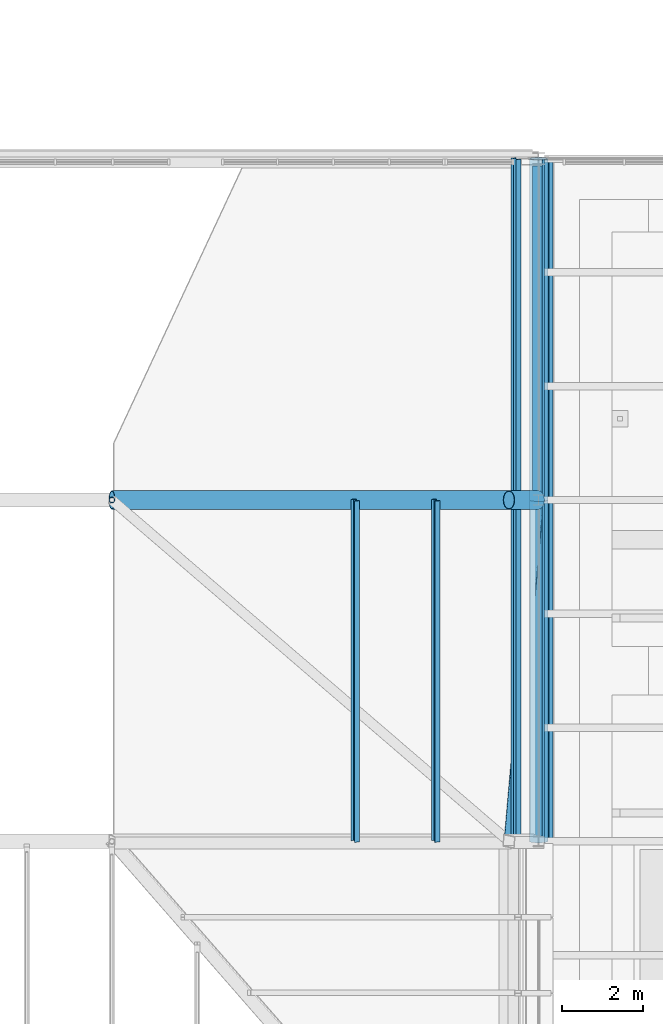
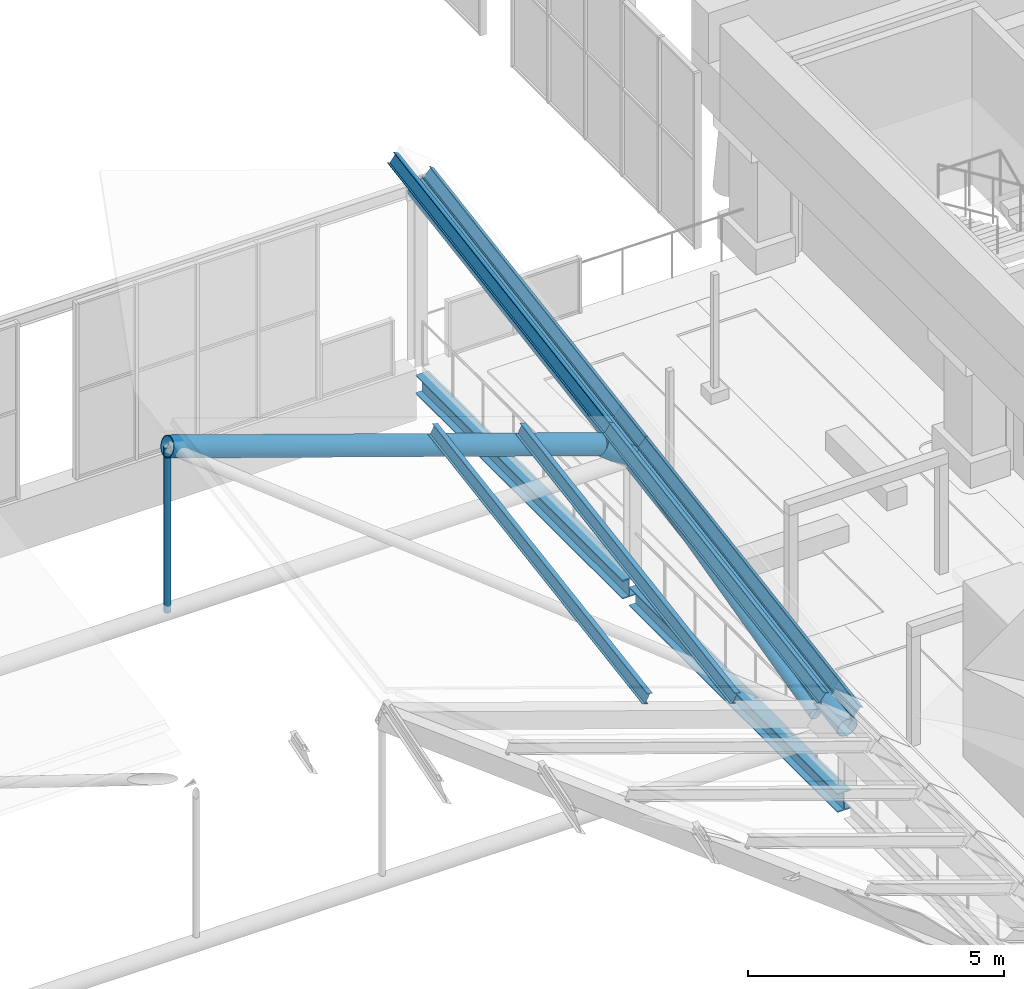
# One storey, part 24 of 76: 8 members, 6 beams.
"""IFC4 building model written with IfcOpenShell, lengths in metres."""

from ifc_helpers import new_model, si_unit, direction, frame, origin, origin_2d, place, context, subcontext, project, spatial, hollow_circle, i_section, extrude, material, material_profile, profile_set, type_object, element, save


model = new_model("IFC4")

# Units and contexts
model_context = context("Model", 3, precision=1e-05, world=origin(), true_north=direction((0.0, 1.0)))
body_context = subcontext(model_context, "Body", "Model", "MODEL_VIEW")
ifc_project = project(units=[si_unit("LENGTHUNIT", "METRE"), si_unit("AREAUNIT", "SQUARE_METRE"), si_unit("VOLUMEUNIT", "CUBIC_METRE"), si_unit("PLANEANGLEUNIT", "RADIAN"), si_unit("MASSUNIT", "GRAM", prefix="KILO")], contexts=[model_context])

# Site, building, storey
site_placement = place(None, origin())
site = spatial("IfcSite", under=ifc_project, at=site_placement, CompositionType="ELEMENT")
building_placement = place(site_placement, origin())
building = spatial("IfcBuilding", under=site, at=building_placement, Name="Sava Quay Ferry Terminal", CompositionType="ELEMENT")
storey_placement = place(building_placement, frame((0.0, 0.0, 10.800048828125)))
storey = spatial("IfcBuildingStorey", under=building, at=storey_placement, Name="L02", CompositionType="ELEMENT", Elevation=10.800048828125)

# Beams
ifc_material_1 = material(Name="Steel S355", Category="steel")
ifc_material_profile_1 = material_profile(ifc_material_1, hollow_circle(Radius=0.228515625, WallThickness=0.01611328125, at=origin_2d()), Name="CHS 457 x 16.0")
ifc_profile_set_1 = profile_set([ifc_material_profile_1], Name="Steel S355")
beam_type_1 = type_object("IfcBeamType", Name="Arch rib CHS 457x16", PredefinedType="BEAM", material=ifc_profile_set_1)
beam_1_placement = place(storey_placement, frame((65.10009765625, 42.0, 6.749267578125), z_axis=(0.945520775213, 0.0, -0.325561766247), x_axis=(0.0, 1.0, 0.0)))
element("IfcBeam", 1, at=beam_1_placement, inside=storey, type_object=beam_type_1, Name="Arrivals hall arch rib R1 seg 4", PredefinedType="BEAM", context=body_context, shape_type="SweptSolid", body=[
    extrude(hollow_circle(Radius=0.228515625, WallThickness=0.01611328125, at=origin_2d()), origin(), (0.0, 0.0, 1.0), 10.3330078125),
])
beam_2_placement = place(storey_placement, frame((74.8701171875, 42.0, 3.38525390625), z_axis=(0.788016382432, 0.0, -0.61565427069), x_axis=(0.0, 1.0, 0.0)))
element("IfcBeam", 2, at=beam_2_placement, inside=storey, type_object=beam_type_1, Name="Arrivals hall arch rib R1 seg 5", PredefinedType="BEAM", context=body_context, shape_type="SweptSolid", body=[
    extrude(hollow_circle(Radius=0.228515625, WallThickness=0.01611328125, at=origin_2d()), origin(), (0.0, 0.0, 1.0), 0.92626953125),
])
ifc_material_2 = material(Name="Steel S355", Category="steel")
ifc_material_profile_2 = material_profile(ifc_material_2, hollow_circle(Radius=0.228515625, WallThickness=0.01611328125, at=origin_2d()), Name="CHS 457 x 16.0")
ifc_profile_set_2 = profile_set([ifc_material_profile_2], Name="Steel S355")
beam_type_2 = type_object("IfcBeamType", Name="Eave beam CHS 457x16", PredefinedType="BEAM", material=ifc_profile_set_2)
beam_3_placement = place(storey_placement, frame((75.60009765625, 33.60009765625, 1.466064453125), z_axis=(0.0, 0.987350755247, 0.158551209752), x_axis=(-1.0, 0.0, 0.0)))
element("IfcBeam", 3, at=beam_3_placement, inside=storey, type_object=beam_type_2, Name="Arrivals hall eave beam R1", PredefinedType="BEAM", context=body_context, shape_type="SweptSolid", body=[
    extrude(hollow_circle(Radius=0.228515625, WallThickness=0.01611328125, at=origin_2d()), origin(), (0.0, 0.0, 1.0), 8.507568359375),
])
beam_4_placement = place(storey_placement, frame((75.60009765625, 42.0, 2.81494140625), z_axis=(0.0, 0.987368718827, 0.158439304094), x_axis=(-1.0, 0.0, 0.0)))
element("IfcBeam", 4, at=beam_4_placement, inside=storey, type_object=beam_type_2, Name="Arrivals hall eave beam R2", PredefinedType="BEAM", context=body_context, shape_type="SweptSolid", body=[
    extrude(hollow_circle(Radius=0.228515625, WallThickness=0.01611328125, at=origin_2d()), origin(), (0.0, 0.0, 1.0), 8.50732421875),
])
ifc_material_3 = material(Name="Steel S355", Category="steel")
ifc_material_profile_3 = material_profile(ifc_material_3, i_section(OverallWidth=0.300048828125, OverallDepth=0.449951171875, WebThickness=0.013916015625, FlangeThickness=0.02587890625, at=origin_2d()), Name="HE 450 B")
ifc_profile_set_3 = profile_set([ifc_material_profile_3], Name="Steel S355")
beam_type_3 = type_object("IfcBeamType", Name="Girder HE 450 B", PredefinedType="BEAM", material=ifc_profile_set_3)
beam_5_placement = place(storey_placement, frame((75.60009765625, 33.72998046875, -0.375), z_axis=(0.0, 1.0, 0.0), x_axis=(-1.0, 0.0, 0.0)))
element("IfcBeam", 5, at=beam_5_placement, inside=storey, type_object=beam_type_3, Name="Girder L02", PredefinedType="BEAM", context=body_context, shape_type="SweptSolid", body=[
    extrude(i_section(OverallWidth=0.300048828125, OverallDepth=0.449951171875, WebThickness=0.013916015625, FlangeThickness=0.02587890625, at=origin_2d()), origin(), (0.0, 0.0, 1.0), 8.14013671875),
])
beam_6_placement = place(storey_placement, frame((75.60009765625, 42.1298828125, -0.375), z_axis=(0.0, 1.0, 0.0), x_axis=(-1.0, 0.0, 0.0)))
element("IfcBeam", 6, at=beam_6_placement, inside=storey, type_object=beam_type_3, Name="Girder L02", PredefinedType="BEAM", context=body_context, shape_type="SweptSolid", body=[
    extrude(i_section(OverallWidth=0.300048828125, OverallDepth=0.449951171875, WebThickness=0.013916015625, FlangeThickness=0.02587890625, at=origin_2d()), origin(), (0.0, 0.0, 1.0), 8.090087890625),
])

# Members
ifc_material_4 = material(Name="Steel S355", Category="steel")
ifc_material_profile_4 = material_profile(ifc_material_4, hollow_circle(Radius=0.122314453125, WallThickness=0.008056640625, at=origin_2d()), Name="CHS 244.5 x 8.0")
ifc_profile_set_4 = profile_set([ifc_material_profile_4], Name="Steel S355")
member_type_1 = type_object("IfcMemberType", Name="Roof brace CHS 244.5x8", PredefinedType="BRACE", material=ifc_profile_set_4)
member_1_placement = place(storey_placement, frame((74.8701171875, 33.60009765625, 2.036376953125), z_axis=(0.086210379458, 0.992024854725, 0.091948127121), x_axis=(-0.996245150167, 0.086577137679, 0.0)))
element("IfcMember", 7, at=member_1_placement, inside=storey, type_object=member_type_1, Name="Arrivals hall roof brace bay 1 panel 5", PredefinedType="BRACE", context=body_context, shape_type="SweptSolid", body=[
    extrude(hollow_circle(Radius=0.122314453125, WallThickness=0.008056640625, at=origin_2d()), origin(), (0.0, 0.0, 1.0), 8.467529296875),
])
ifc_material_5 = material(Name="Steel S355", Category="steel")
ifc_material_profile_5 = material_profile(ifc_material_5, i_section(OverallWidth=0.135009765625, OverallDepth=0.27001953125, WebThickness=0.006591796875, FlangeThickness=0.01025390625, at=origin_2d()), Name="IPE 270")
ifc_profile_set_5 = profile_set([ifc_material_profile_5], Name="Steel S355")
member_type_2 = type_object("IfcMemberType", Name="Roof purlin IPE 270", PredefinedType="PURLIN", material=ifc_profile_set_5)
for number, where, z_axis, x_axis, name in (
    (8, (71.090576171875, 33.60009765625, 3.7265625), (0.0, 0.987350755247, 0.158551209752), (-0.946780982947, -0.051034225954, 0.317806982477), "Arrivals hall purlin bay 1 M3.3"),
    (9, (73.0673828125, 33.60009765625, 3.0458984375), (0.0, 0.987350755247, 0.158551209752), (-0.946780982947, -0.051034225954, 0.317806982477), "Arrivals hall purlin bay 1 M3.4"),
    (10, (75.044189453125, 33.60009765625, 2.365234375), (0.0, 0.987350755247, 0.158551209752), (-0.881207713377, -0.074951798175, 0.466749605072), "Arrivals hall purlin bay 1 V4"),
    (11, (75.822021484375, 33.60009765625, 1.757568359375), (0.0, 0.987350755247, 0.158551209752), (-0.791792656419, -0.09684148888, 0.603063939623), "Arrivals hall edge purlin bay 1 V5"),
):
    element("IfcMember", number, at=place(storey_placement, frame(where, z_axis=z_axis, x_axis=x_axis)), inside=storey, type_object=member_type_2, Name=name, PredefinedType="PURLIN", context=body_context, shape_type="SweptSolid", body=[
        extrude(i_section(OverallWidth=0.135009765625, OverallDepth=0.27001953125, WebThickness=0.006591796875, FlangeThickness=0.01025390625, at=origin_2d()), origin(), (0.0, 0.0, 1.0), 8.507568359375),
    ])
for number, where, z_axis, x_axis, name in (
    (12, (75.044189453125, 42.0, 3.714111328125), (0.0, 0.98736422906, 0.158467281081), (-0.881204241549, -0.074913148193, 0.46676236449), "Arrivals hall purlin bay 2 V4"),
    (13, (75.822021484375, 42.0, 3.1064453125), (0.0, 0.987368718827, 0.158439304094), (-0.791787123021, -0.096774274528, 0.6030819941), "Arrivals hall edge purlin bay 2 V5"),
):
    element("IfcMember", number, at=place(storey_placement, frame(where, z_axis=z_axis, x_axis=x_axis)), inside=storey, type_object=member_type_2, Name=name, PredefinedType="PURLIN", context=body_context, shape_type="SweptSolid", body=[
        extrude(i_section(OverallWidth=0.135009765625, OverallDepth=0.27001953125, WebThickness=0.006591796875, FlangeThickness=0.01025390625, at=origin_2d()), origin(), (0.0, 0.0, 1.0), 8.50732421875),
    ])
ifc_material_6 = material(Name="Steel S355", Category="steel")
ifc_material_profile_6 = material_profile(ifc_material_6, hollow_circle(Radius=0.06982421875, WallThickness=0.008056640625, at=origin_2d()), Name="CHS 139.7 x 8.0")
ifc_profile_set_6 = profile_set([ifc_material_profile_6], Name="Steel S355")
member_type_3 = type_object("IfcMemberType", Name="Tie hanger CHS 139.7x8", PredefinedType="USERDEFINED", material=ifc_profile_set_6)
member_2_placement = place(storey_placement, frame((65.10009765625, 42.0, 2.81494140625), z_axis=(0.0, 0.0, 1.0), x_axis=(1.0, 0.0, 0.0)))
element("IfcMember", 14, at=member_2_placement, inside=storey, type_object=member_type_3, Name="Arrivals hall tie hanger R1 V3", ObjectType="TIE HANGER", PredefinedType="USERDEFINED", context=body_context, shape_type="SweptSolid", body=[
    extrude(hollow_circle(Radius=0.06982421875, WallThickness=0.008056640625, at=origin_2d()), origin(), (0.0, 0.0, 1.0), 3.934326171875),
])

save(model, "model.ifc")
